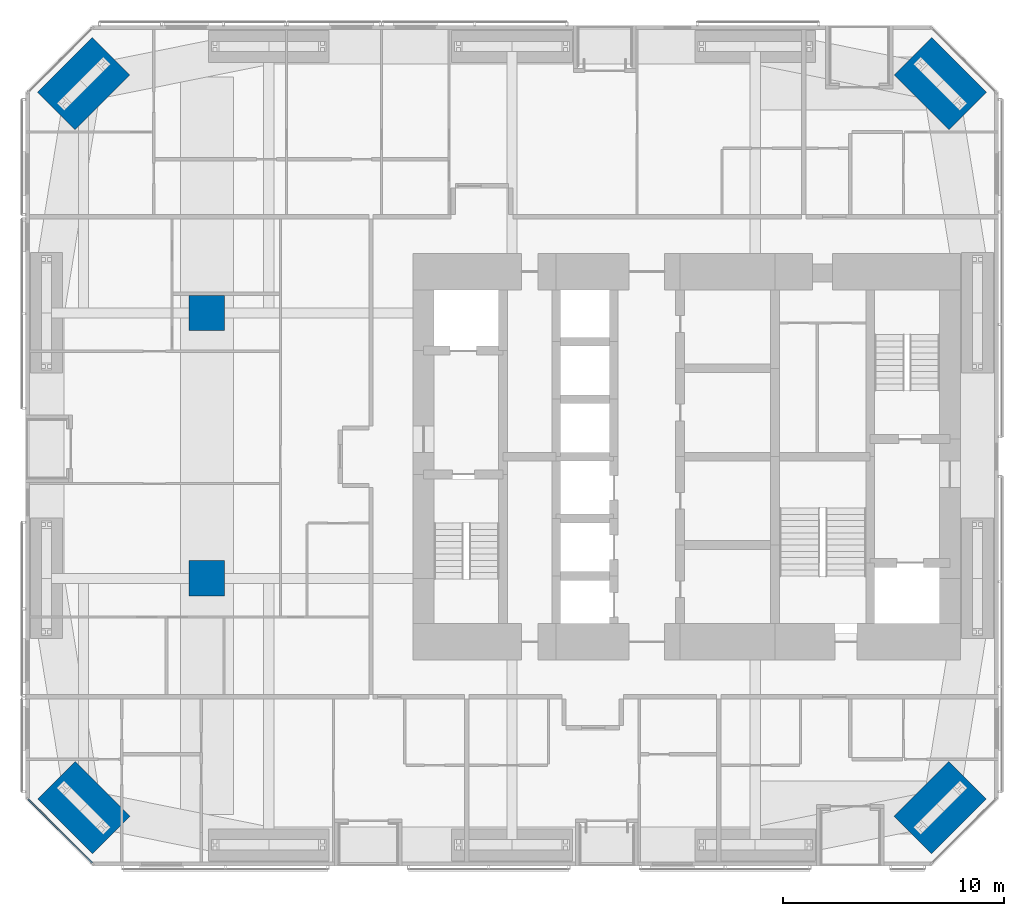
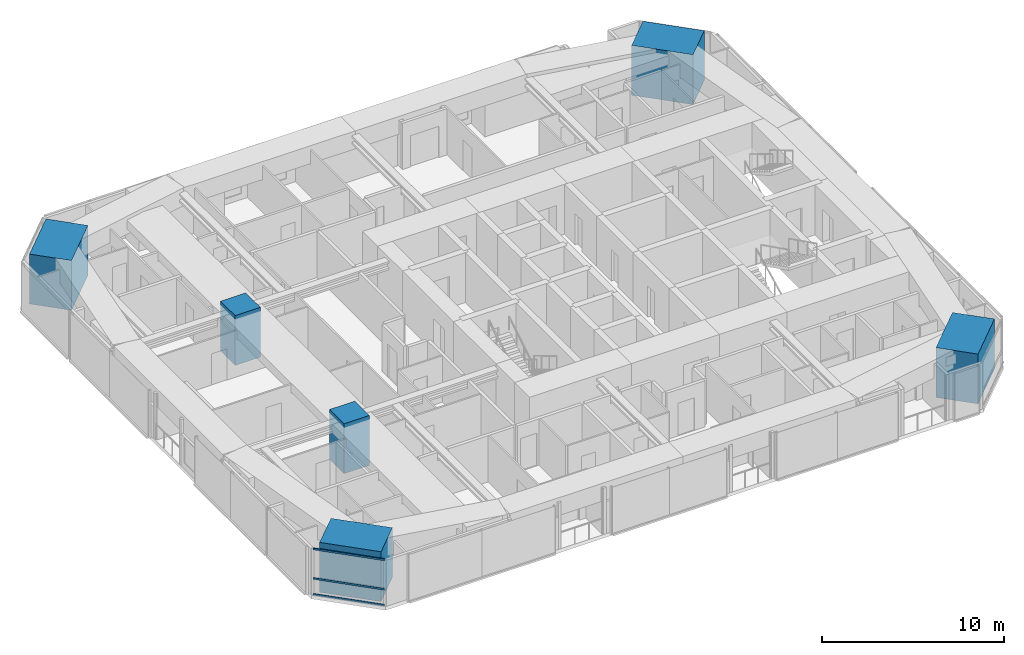
# One storey, part 1 of 23: 6 columns, 3 members, 1 element without a shape of its own.
"""IFC4 building model written with IfcOpenShell, lengths in metres."""

from ifc_helpers import new_model, si_unit, direction, frame, origin, origin_2d, place, context, subcontext, project, spatial, rectangle, extrude, material, material_profile, profile_set, type_object, element, aggregate, save


model = new_model("IFC4")

# Units and contexts
model_context = context("Model", 3, precision=1e-05, world=origin(), true_north=direction((0.0, 1.0)))
body_context = subcontext(model_context, "Body", "Model", "MODEL_VIEW")
ifc_project = project(units=[si_unit("LENGTHUNIT", "METRE"), si_unit("AREAUNIT", "SQUARE_METRE"), si_unit("VOLUMEUNIT", "CUBIC_METRE"), si_unit("PLANEANGLEUNIT", "RADIAN"), si_unit("MASSUNIT", "GRAM", prefix="KILO")], contexts=[model_context])

# Site, building, storey
site_placement = place(None, origin())
site = spatial("IfcSite", under=ifc_project, at=site_placement, CompositionType="ELEMENT")
building_placement = place(site_placement, origin())
building = spatial("IfcBuilding", under=site, at=building_placement, Name="Jalousie Tower", CompositionType="ELEMENT")
storey_placement = place(building_placement, frame((0.0, 0.0, 24.35009765625)))
storey = spatial("IfcBuildingStorey", under=building, at=storey_placement, Name="L05", CompositionType="ELEMENT", Elevation=24.35009765625)

# Columns
ifc_material_1 = material(Name="Concrete f'c 120 MPa", Category="concrete")
ifc_material_profile_1 = material_profile(ifc_material_1, rectangle(XDim=1.60009765625, YDim=1.60009765625, at=origin_2d()), Name="RC 1600x1600")
ifc_profile_set_1 = profile_set([ifc_material_profile_1], Name="Concrete f'c 120 MPa")
column_type_1 = type_object("IfcColumnType", Name="RC COLUMN 1600x1600", PredefinedType="COLUMN", material=ifc_profile_set_1)
for number, where, z_axis, x_axis, name in (
    (1, (10.199951171875, 13.0, 0.0), (0.0, 0.0, 1.0), (1.0, 0.0, 0.0), "Interior column IA1 L05"),
    (2, (10.199951171875, 25.0, 0.0), (0.0, 0.0, 1.0), (1.0, 0.0, 0.0), "Interior column IA2 L05"),
):
    element("IfcColumn", number, at=place(storey_placement, frame(where, z_axis=z_axis, x_axis=x_axis)), inside=storey, type_object=column_type_1, Name=name, PredefinedType="COLUMN", context=body_context, shape_type="SweptSolid", body=[
        extrude(rectangle(XDim=1.60009765625, YDim=1.60009765625, at=origin_2d()), origin(), (0.0, 0.0, 1.0), 3.349853515625),
    ])
ifc_material_2 = material(Name="Concrete f'c 120 MPa", Category="concrete")
ifc_material_profile_2 = material_profile(ifc_material_2, rectangle(XDim=2.39990234375, YDim=3.5, at=origin_2d()), Name="RC 2400x3500")
ifc_profile_set_2 = profile_set([ifc_material_profile_2], Name="Concrete f'c 120 MPa")
column_type_2 = type_object("IfcColumnType", Name="RC CORNER COLUMN 2400x3500", PredefinedType="COLUMN", material=ifc_profile_set_2)
for number, where, z_axis, x_axis, name in (
    (3, (4.63134765625, 2.63134765625, 0.0), (0.0, 0.0, 1.0), (0.707106781187, 0.707106781187, 0.0), "Corner column 01 L05"),
    (4, (43.36865234375, 2.63134765625, 0.0), (0.0, 0.0, 1.0), (-0.707106781187, 0.707106781187, 0.0), "Corner column 05 L05"),
    (5, (43.36865234375, 35.36865234375, 0.0), (0.0, 0.0, 1.0), (-0.707106781187, -0.707106781187, 0.0), "Corner column 08 L05"),
    (6, (4.63134765625, 35.36865234375, 0.0), (0.0, 0.0, 1.0), (0.707106781187, -0.707106781187, 0.0), "Corner column 12 L05"),
):
    element("IfcColumn", number, at=place(storey_placement, frame(where, z_axis=z_axis, x_axis=x_axis)), inside=storey, type_object=column_type_2, Name=name, PredefinedType="COLUMN", context=body_context, shape_type="SweptSolid", body=[
        extrude(rectangle(XDim=2.39990234375, YDim=3.5, at=origin_2d()), origin(), (0.0, 0.0, 1.0), 3.349853515625),
    ])

# Curtain wall, members
ifc_material_3 = material(Name="Aluminium curtain wall", Category="aluminium")
curtain_wall_type = type_object("IfcCurtainWallType", Name="CORNER WINDOW WALL", PredefinedType="USERDEFINED", material=ifc_material_3)
curtain_wall_placement = place(storey_placement, origin())
curtain_wall = element("IfcCurtainWall", 7, at=curtain_wall_placement, inside=storey, type_object=curtain_wall_type, Name="Corner Window Wall L05 8", ObjectType="CORNER WINDOW WALL", PredefinedType="USERDEFINED")
ifc_material_4 = material(Name="Aluminium transom", Category="aluminium")
ifc_material_profile_3 = material_profile(ifc_material_4, rectangle(XDim=0.06005859375, YDim=0.1201171875, at=origin_2d()), Name="TRANSOM 60x120")
ifc_profile_set_3 = profile_set([ifc_material_profile_3], Name="Aluminium transom")
member_type = type_object("IfcMemberType", Name="CORNER WINDOW WALL TRANSOM", PredefinedType="USERDEFINED", material=ifc_profile_set_3)
member_1_placement = place(storey_placement, frame((2.1298828125, 3.0087890625, 0.02978515625), z_axis=(0.707106781187, -0.707106781187, 0.0), x_axis=(0.707106781187, 0.707106781187, 0.0)))
member_1 = element("IfcMember", 8, at=member_1_placement, type_object=member_type, Name="CW-C transom 1.1", ObjectType="TRANSOM", PredefinedType="USERDEFINED", context=body_context, shape_type="SweptSolid", body=[
    extrude(rectangle(XDim=0.06005859375, YDim=0.1201171875, at=origin_2d()), origin(), (0.0, 0.0, 1.0), 4.0712890625),
])
member_2_placement = place(storey_placement, frame((2.1298828125, 3.0087890625, 1.099853515625), z_axis=(0.707106781187, -0.707106781187, 0.0), x_axis=(0.707106781187, 0.707106781187, 0.0)))
member_2 = element("IfcMember", 9, at=member_2_placement, type_object=member_type, Name="CW-C transom 1.2", ObjectType="TRANSOM", PredefinedType="USERDEFINED", context=body_context, shape_type="SweptSolid", body=[
    extrude(rectangle(XDim=0.06005859375, YDim=0.1201171875, at=origin_2d()), origin(), (0.0, 0.0, 1.0), 4.0712890625),
])
member_3_placement = place(storey_placement, frame((2.1298828125, 3.0087890625, 3.079833984375), z_axis=(0.707106781187, -0.707106781187, 0.0), x_axis=(0.707106781187, 0.707106781187, 0.0)))
member_3 = element("IfcMember", 10, at=member_3_placement, type_object=member_type, Name="CW-C transom 1.3", ObjectType="TRANSOM", PredefinedType="USERDEFINED", context=body_context, shape_type="SweptSolid", body=[
    extrude(rectangle(XDim=0.06005859375, YDim=0.1201171875, at=origin_2d()), origin(), (0.0, 0.0, 1.0), 4.0712890625),
])
aggregate(curtain_wall, [member_1, member_2, member_3])

save(model, "model.ifc")
